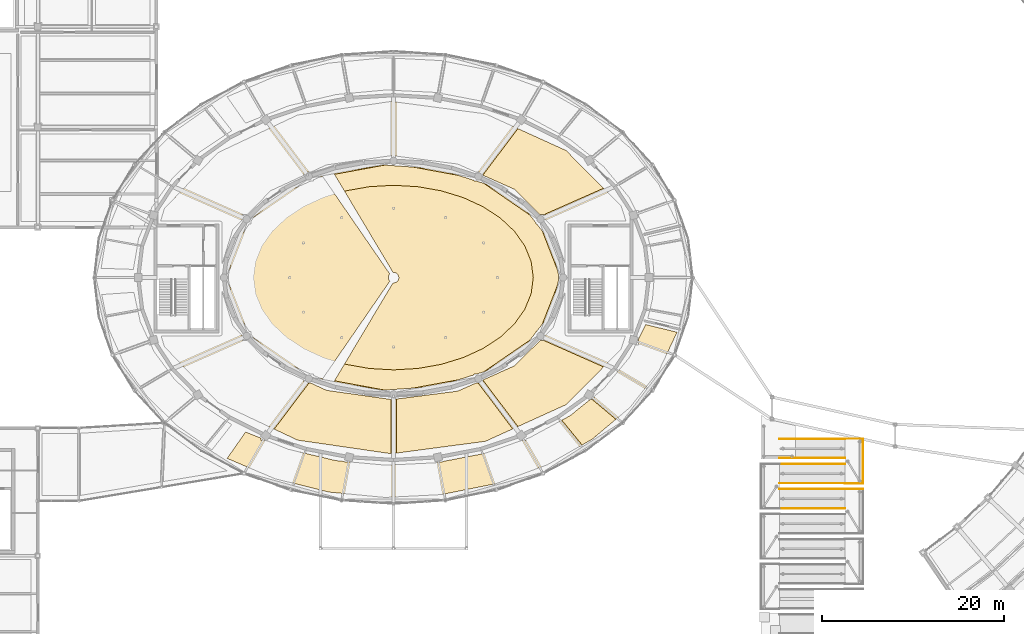
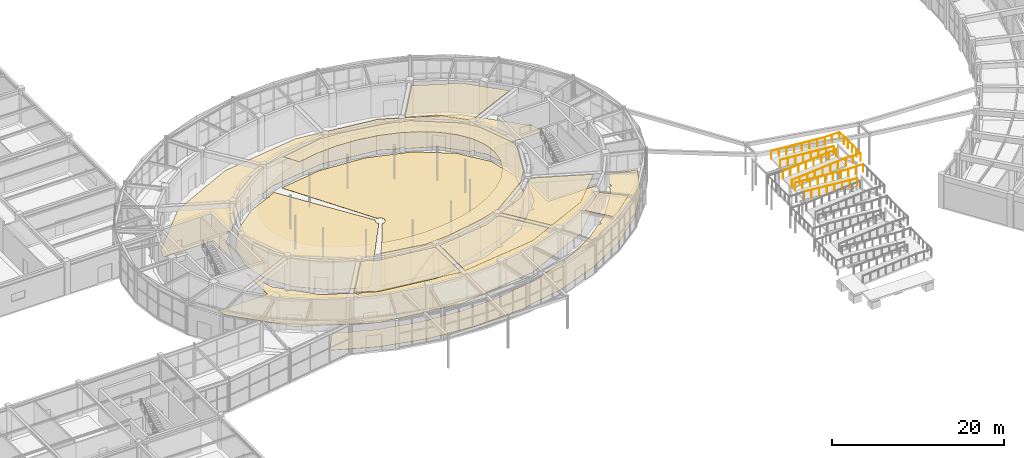
# One storey, part 102 of 108: 11 coverings, 10 railings.
"""IFC4 building model written with IfcOpenShell, lengths in metres."""

from ifc_helpers import new_model, si_unit, direction, frame, origin, origin_2d, place, context, subcontext, project, spatial, polyline, circle, outline, extrude, material, layer, layer_set, type_object, element, save


model = new_model("IFC4")

# Units and contexts
model_context = context("Model", 3, precision=1e-05, world=origin(), true_north=direction((0.0, 1.0)))
body_context = subcontext(model_context, "Body", "Model", "MODEL_VIEW")
ifc_project = project(units=[si_unit("LENGTHUNIT", "METRE"), si_unit("AREAUNIT", "SQUARE_METRE"), si_unit("VOLUMEUNIT", "CUBIC_METRE"), si_unit("PLANEANGLEUNIT", "RADIAN"), si_unit("MASSUNIT", "GRAM", prefix="KILO")], contexts=[model_context])

# Site, building, storey
site_placement = place(None, origin())
site = spatial("IfcSite", under=ifc_project, at=site_placement, CompositionType="ELEMENT")
building_placement = place(site_placement, origin())
building = spatial("IfcBuilding", under=site, at=building_placement, Name="Tarnveldt Headland Concert Hall", CompositionType="ELEMENT")
storey_placement = place(building_placement, origin())
storey = spatial("IfcBuildingStorey", under=building, at=storey_placement, Name="L00", CompositionType="ELEMENT", Elevation=0.0)

# Coverings
ifc_material_1 = material(Name="Micro-perforated mvule acoustic ceiling panel", Category="timber")
ifc_layer_1 = layer(ifc_material_1, 0.050048828125, Name="Micro-perforated mvule acoustic ceiling panel", Category="timber")
ifc_layer_set_1 = layer_set([ifc_layer_1], Name="Micro-perforated mvule acoustic ceiling panel")
covering_type_1 = type_object("IfcCoveringType", Name="CV-CEIL50", PredefinedType="CEILING", material=ifc_layer_set_1)
covering_1_placement = place(storey_placement, frame((0.0, 0.0, 4.469970703125)))
element("IfcCovering", 1, at=covering_1_placement, inside=storey, type_object=covering_type_1, Name="Acoustic mvule ceiling L00-10-5", PredefinedType="CEILING", context=body_context, shape_type="SweptSolid", body=[
    extrude(outline(polyline([(76.165283203125, 42.1376953125), (83.195068359375, 41.138427734375), (83.195068359375, 35.19189453125), (72.973388671875, 36.675048828125), (70.413818359375, 37.885009765625), (74.205078125, 42.914794921875), (74.46875, 42.914794921875), (76.114990234375, 42.152587890625), (76.13134765625, 42.14599609375), (76.148193359375, 42.140869140625), (76.165283203125, 42.1376953125)])), origin(), (0.0, 0.0, 1.0), 0.050048828125),
])
covering_2_placement = place(storey_placement, frame((0.0, 0.0, 4.469970703125)))
element("IfcCovering", 2, at=covering_2_placement, inside=storey, type_object=covering_type_1, Name="Acoustic mvule ceiling L00-10-6", PredefinedType="CEILING", context=body_context, shape_type="SweptSolid", body=[
    extrude(outline(polyline([(90.525146484375, 42.050537109375), (90.54248046875, 42.0537109375), (90.55908203125, 42.058349609375), (90.575439453125, 42.064697265625), (92.482421875, 42.914794921875), (92.794921875, 42.914794921875), (96.5703125, 37.906005859375), (93.58447265625, 36.54736328125), (83.804931640625, 35.25439453125), (83.804931640625, 41.179931640625), (83.95947265625, 41.199951171875), (84.0, 41.199951171875), (84.0, 41.205322265625), (90.525146484375, 42.050537109375)])), origin(), (0.0, 0.0, 1.0), 0.050048828125),
])
covering_3_placement = place(storey_placement, frame((0.0, 0.0, 4.469970703125)))
element("IfcCovering", 3, at=covering_3_placement, inside=storey, type_object=covering_type_1, Name="Acoustic mvule ceiling L00-10-7", PredefinedType="CEILING", context=body_context, shape_type="SweptSolid", body=[
    extrude(outline(polyline([(96.726318359375, 44.8076171875), (96.739990234375, 44.816162109375), (96.7529296875, 44.82568359375), (96.764892578125, 44.836669921875), (99.569580078125, 47.60009765625), (99.984619140625, 47.60009765625), (106.530029296875, 44.705322265625), (102.412109375, 40.564208984375), (97.13916015625, 38.164794921875), (93.300048828125, 43.25830078125), (93.300048828125, 43.279296875), (96.7119140625, 44.80029296875), (96.726318359375, 44.8076171875)])), origin(), (0.0, 0.0, 1.0), 0.050048828125),
])
covering_4_placement = place(storey_placement, frame((0.0, 0.0, 4.469970703125)))
element("IfcCovering", 4, at=covering_4_placement, inside=storey, type_object=covering_type_1, Name="Acoustic mvule ceiling L00-11-10", PredefinedType="CEILING", context=body_context, shape_type="SweptSolid", body=[
    extrude(outline(polyline([(96.7119140625, 64.19970703125), (93.300048828125, 65.720703125), (93.300048828125, 65.74169921875), (97.13916015625, 70.835205078125), (102.412109375, 68.435791015625), (106.530029296875, 64.294677734375), (99.984619140625, 61.39990234375), (99.569580078125, 61.39990234375), (96.764892578125, 64.163330078125), (96.7529296875, 64.17431640625), (96.739990234375, 64.183837890625), (96.726318359375, 64.1923828125), (96.7119140625, 64.19970703125)])), origin(), (0.0, 0.0, 1.0), 0.050048828125),
])
covering_5_placement = place(storey_placement, frame((0.0, 0.0, 4.469970703125)))
element("IfcCovering", 5, at=covering_5_placement, inside=storey, type_object=covering_type_1, Name="Acoustic mvule ceiling L00-12-20", PredefinedType="CEILING", context=body_context, shape_type="SweptSolid", body=[
    extrude(outline(polyline([(104.1728515625, 36.146484375), (101.95458984375, 38.86474609375), (102.845703125, 39.349609375), (102.859619140625, 39.35791015625), (102.87255859375, 39.367431640625), (105.04931640625, 41.119140625), (105.302490234375, 41.119140625), (107.8759765625, 38.960205078125), (105.30126953125, 36.789794921875), (104.1728515625, 36.146484375)])), origin(), (0.0, 0.0, 1.0), 0.050048828125),
])
ifc_layer_2 = layer(ifc_material_1, 0.06494140625, Name="Micro-perforated mvule acoustic ceiling panel", Category="timber")
ifc_layer_set_2 = layer_set([ifc_layer_2], Name="Micro-perforated mvule acoustic ceiling panel")
covering_type_2 = type_object("IfcCoveringType", Name="CV-CEIL65", PredefinedType="CEILING", material=ifc_layer_set_2)
covering_6_placement = place(storey_placement, frame((0.0, 0.0, 4.455078125)))
element("IfcCovering", 6, at=covering_6_placement, inside=storey, type_object=covering_type_2, Name="Acoustic mvule ceiling L00-09-2", PredefinedType="CEILING", context=body_context, shape_type="SweptSolid", body=[
    extrude(outline(polyline([(90.6201171875, 43.297607421875), (85.665283203125, 42.384033203125), (83.10546875, 42.199951171875), (83.0, 42.199951171875), (83.0, 42.1923828125), (82.54931640625, 42.159912109375), (77.023681640625, 43.178955078125), (78.12890625, 45.030517578125), (78.26611328125, 44.98828125), (78.280517578125, 44.98486328125), (80.839599609375, 44.53369140625), (80.853515625, 44.531982421875), (83.4931640625, 44.380126953125), (83.5068359375, 44.380126953125), (86.146484375, 44.531982421875), (86.160400390625, 44.53369140625), (88.719482421875, 44.98486328125), (88.73388671875, 44.98828125), (91.13525390625, 45.72509765625), (91.150146484375, 45.730712890625), (93.320556640625, 46.730712890625), (93.32861328125, 46.734619140625), (93.33642578125, 46.7392578125), (95.2099609375, 47.9716796875), (95.21826171875, 47.977783203125), (95.22607421875, 47.984619140625), (96.745849609375, 49.41259765625), (96.754150390625, 49.421142578125), (96.761474609375, 49.4306640625), (97.881103515625, 51.010498046875), (97.888427734375, 51.022216796875), (97.894287109375, 51.034423828125), (98.580078125, 52.71826171875), (98.583740234375, 52.727783203125), (98.586181640625, 52.73779296875), (98.588134765625, 52.747802734375), (98.819091796875, 54.484130859375), (98.81982421875, 54.49462890625), (98.81982421875, 54.50537109375), (98.819091796875, 54.515869140625), (98.588134765625, 56.252197265625), (98.586181640625, 56.26220703125), (98.583740234375, 56.272216796875), (98.580078125, 56.28173828125), (97.894287109375, 57.965576171875), (97.888427734375, 57.977783203125), (97.881103515625, 57.989501953125), (96.761474609375, 59.5693359375), (96.754150390625, 59.578857421875), (96.745849609375, 59.58740234375), (95.22607421875, 61.015380859375), (95.21826171875, 61.022216796875), (95.2099609375, 61.0283203125), (93.33642578125, 62.2607421875), (93.32861328125, 62.265380859375), (93.320556640625, 62.269287109375), (91.150146484375, 63.269287109375), (91.13525390625, 63.27490234375), (88.73388671875, 64.01171875), (88.719482421875, 64.01513671875), (86.160400390625, 64.46630859375), (86.146484375, 64.468017578125), (83.5068359375, 64.619873046875), (83.4931640625, 64.619873046875), (80.853515625, 64.468017578125), (80.839599609375, 64.46630859375), (78.280517578125, 64.01513671875), (78.26611328125, 64.01171875), (78.12890625, 63.969482421875), (77.023681640625, 65.821044921875), (82.54931640625, 66.840087890625), (83.0, 66.8076171875), (83.0, 66.800048828125), (83.10546875, 66.800048828125), (85.665283203125, 66.615966796875), (90.6201171875, 65.702392578125), (92.300048828125, 65.1748046875), (92.300048828125, 65.085205078125), (92.585205078125, 65.085205078125), (93.408203125, 64.82666015625), (98.447021484375, 61.359130859375), (99.108154296875, 60.5087890625), (99.108154296875, 60.39990234375), (99.192626953125, 60.39990234375), (99.81298828125, 59.60205078125), (101.44775390625, 55.4033203125), (101.60009765625, 54.77001953125), (101.60009765625, 54.22998046875), (101.44775390625, 53.5966796875), (99.81298828125, 49.39794921875), (99.192626953125, 48.60009765625), (99.108154296875, 48.60009765625), (99.108154296875, 48.4912109375), (98.447021484375, 47.640869140625), (93.408203125, 44.17333984375), (92.585205078125, 43.914794921875), (92.300048828125, 43.914794921875), (92.300048828125, 43.8251953125), (90.6201171875, 43.297607421875)])), origin(), (0.0, 0.0, 1.0), 0.06494140625),
])
ifc_material_2 = material(Name="Treated East African mvule hardwood", Category="wood")
ifc_layer_3 = layer(ifc_material_2, 0.028076171875, Name="Treated East African mvule hardwood", Category="wood")
ifc_layer_set_3 = layer_set([ifc_layer_3], Name="Treated East African mvule hardwood")
covering_type_3 = type_object("IfcCoveringType", Name="CV-FLOR28", PredefinedType="FLOORING", material=ifc_layer_set_3)
covering_7_placement = place(storey_placement, origin())
element("IfcCovering", 7, at=covering_7_placement, inside=storey, type_object=covering_type_3, Name="Architectural flooring L00-08-1", PredefinedType="FLOORING", context=body_context, shape_type="SweptSolid", body=[
    extrude(outline(polyline([(82.920166015625, 54.508544921875), (82.920166015625, 54.491455078125), (82.921875, 54.474609375), (82.937744140625, 54.362548828125), (82.94091796875, 54.345947265625), (82.94580078125, 54.32958984375), (82.951904296875, 54.31396484375), (82.99853515625, 54.2109375), (83.00634765625, 54.19580078125), (83.015625, 54.181396484375), (83.026123046875, 54.167724609375), (83.085693359375, 54.098388671875), (75.681640625, 43.351318359375), (74.699951171875, 43.789306640625), (74.699951171875, 43.914794921875), (74.41845703125, 43.914794921875), (71.495361328125, 45.219482421875), (68.158203125, 47.8798828125), (67.891845703125, 48.281982421875), (67.891845703125, 48.60009765625), (67.68115234375, 48.60009765625), (66.05224609375, 51.05859375), (65.39990234375, 54.183349609375), (65.39990234375, 54.816650390625), (66.05224609375, 57.94140625), (67.68115234375, 60.39990234375), (67.891845703125, 60.39990234375), (67.891845703125, 60.718017578125), (68.158203125, 61.1201171875), (71.495361328125, 63.780517578125), (74.41845703125, 65.085205078125), (74.699951171875, 65.085205078125), (74.699951171875, 65.210693359375), (75.681640625, 65.648681640625), (83.085693359375, 54.901611328125), (83.026123046875, 54.832275390625), (83.015625, 54.818603515625), (83.00634765625, 54.80419921875), (82.99853515625, 54.7890625), (82.951904296875, 54.68603515625), (82.94580078125, 54.67041015625), (82.94091796875, 54.654052734375), (82.937744140625, 54.637451171875), (82.921875, 54.525390625), (82.920166015625, 54.508544921875)])), origin(), (0.0, 0.0, 1.0), 0.028076171875),
])
covering_8_placement = place(storey_placement, origin())
element("IfcCovering", 8, at=covering_8_placement, inside=storey, type_object=covering_type_3, Name="Architectural flooring L00-09-2", PredefinedType="FLOORING", context=body_context, shape_type="SweptSolid", body=[
    extrude(outline(polyline([(99.192626953125, 48.60009765625), (99.108154296875, 48.60009765625), (99.108154296875, 48.4912109375), (97.96728515625, 47.023681640625), (93.68408203125, 44.260009765625), (92.585205078125, 43.914794921875), (92.300048828125, 43.914794921875), (92.300048828125, 43.8251953125), (88.318603515625, 42.57470703125), (83.10546875, 42.199951171875), (83.0, 42.199951171875), (83.0, 42.1923828125), (82.440185546875, 42.152099609375), (76.91748046875, 43.001220703125), (83.348876953125, 53.775390625), (83.4501953125, 53.9228515625), (83.45654296875, 53.921875), (83.47607421875, 53.920654296875), (83.495361328125, 53.921630859375), (83.62451171875, 53.935302734375), (83.643798828125, 53.938232421875), (83.662841796875, 53.943603515625), (83.680908203125, 53.95068359375), (83.798828125, 54.0048828125), (83.816162109375, 54.013916015625), (83.832275390625, 54.02490234375), (83.84716796875, 54.03759765625), (83.94140625, 54.12646484375), (83.955078125, 54.140625), (83.966796875, 54.156005859375), (83.976806640625, 54.1728515625), (84.037841796875, 54.287353515625), (84.046142578125, 54.30517578125), (84.052490234375, 54.32373046875), (84.056640625, 54.343017578125), (84.07763671875, 54.470947265625), (84.07958984375, 54.490234375), (84.07958984375, 54.509765625), (84.07763671875, 54.529052734375), (84.056640625, 54.656982421875), (84.052490234375, 54.67626953125), (84.046142578125, 54.69482421875), (84.037841796875, 54.712646484375), (83.976806640625, 54.8271484375), (83.966796875, 54.843994140625), (83.955078125, 54.859375), (83.94140625, 54.87353515625), (83.84716796875, 54.96240234375), (83.832275390625, 54.97509765625), (83.816162109375, 54.986083984375), (83.798828125, 54.9951171875), (83.680908203125, 55.04931640625), (83.662841796875, 55.056396484375), (83.643798828125, 55.061767578125), (83.62451171875, 55.064697265625), (83.495361328125, 55.078369140625), (83.47607421875, 55.079345703125), (83.45654296875, 55.078125), (83.4501953125, 55.0771484375), (83.348876953125, 55.224609375), (76.91748046875, 65.998779296875), (82.440185546875, 66.847900390625), (83.0, 66.8076171875), (83.0, 66.800048828125), (83.10546875, 66.800048828125), (88.318603515625, 66.42529296875), (92.300048828125, 65.1748046875), (92.300048828125, 65.085205078125), (92.585205078125, 65.085205078125), (93.68408203125, 64.739990234375), (97.96728515625, 61.976318359375), (99.108154296875, 60.5087890625), (99.108154296875, 60.39990234375), (99.192626953125, 60.39990234375), (100.71875, 58.43701171875), (101.60009765625, 54.77001953125), (101.60009765625, 54.22998046875), (100.71875, 50.56298828125), (99.192626953125, 48.60009765625)])), origin(), (0.0, 0.0, 1.0), 0.028076171875),
])
ifc_material_3 = material(Name="Polished coral-aggregate cementitious terrazzo flooring", Category="concrete")
ifc_layer_4 = layer(ifc_material_3, 0.034912109375, Name="Polished coral-aggregate cementitious terrazzo flooring", Category="concrete")
ifc_layer_set_4 = layer_set([ifc_layer_4], Name="Polished coral-aggregate cementitious terrazzo flooring")
covering_type_4 = type_object("IfcCoveringType", Name="CV-FLOR35", PredefinedType="FLOORING", material=ifc_layer_set_4)
covering_9_placement = place(storey_placement, origin())
element("IfcCovering", 9, at=covering_9_placement, inside=storey, type_object=covering_type_4, Name="Architectural flooring L00-10-3", PredefinedType="FLOORING", context=body_context, shape_type="SweptSolid", body=[
    extrude(outline(polyline([(65.89794921875, 49.190185546875), (66.891845703125, 48.17333984375), (66.891845703125, 47.60009765625), (67.45263671875, 47.60009765625), (69.9951171875, 44.999755859375), (70.0068359375, 44.988525390625), (70.019775390625, 44.978515625), (70.03369140625, 44.9697265625), (70.048095703125, 44.96240234375), (73.699951171875, 43.27099609375), (73.699951171875, 42.914794921875), (74.46875, 42.914794921875), (76.114990234375, 42.152587890625), (76.13134765625, 42.14599609375), (76.148193359375, 42.140869140625), (76.165283203125, 42.1376953125), (83.308837890625, 41.122314453125), (83.324951171875, 41.12060546875), (83.34130859375, 41.12060546875), (83.357421875, 41.1220703125), (83.95947265625, 41.199951171875), (84.0, 41.199951171875), (84.0, 41.205322265625), (90.525146484375, 42.050537109375), (90.54248046875, 42.0537109375), (90.55908203125, 42.058349609375), (90.575439453125, 42.064697265625), (92.482421875, 42.914794921875), (93.300048828125, 42.914794921875), (93.300048828125, 43.279296875), (96.7119140625, 44.80029296875), (96.726318359375, 44.8076171875), (96.739990234375, 44.816162109375), (96.7529296875, 44.82568359375), (96.764892578125, 44.836669921875), (99.569580078125, 47.60009765625), (100.108154296875, 47.60009765625), (100.108154296875, 48.130615234375), (100.966796875, 48.9765625), (100.978271484375, 48.989013671875), (100.988525390625, 49.00244140625), (100.99755859375, 49.016845703125), (101.005126953125, 49.031982421875), (101.01123046875, 49.0478515625), (102.320068359375, 52.966796875), (102.320068359375, 48.300048828125), (102.32080078125, 48.282470703125), (102.323486328125, 48.264892578125), (102.327880859375, 48.247802734375), (102.333740234375, 48.231201171875), (102.34130859375, 48.215087890625), (102.350341796875, 48.199951171875), (102.36083984375, 48.185791015625), (102.372802734375, 48.172607421875), (102.3857421875, 48.160888671875), (102.39990234375, 48.150390625), (102.4150390625, 48.141357421875), (102.43115234375, 48.1337890625), (102.44775390625, 48.127685546875), (102.46484375, 48.12353515625), (102.482421875, 48.120849609375), (102.5, 48.1201171875), (108.928955078125, 48.1201171875), (108.440185546875, 46.62646484375), (102.412109375, 40.564208984375), (93.58447265625, 36.54736328125), (83.260986328125, 35.182373046875), (72.973388671875, 36.675048828125), (64.24658203125, 40.7998046875), (58.369384765625, 46.934814453125), (58.01220703125, 48.1201171875), (64.5, 48.1201171875), (64.517578125, 48.120849609375), (64.53515625, 48.12353515625), (64.55224609375, 48.127685546875), (64.56884765625, 48.1337890625), (64.5849609375, 48.141357421875), (64.60009765625, 48.150390625), (64.6142578125, 48.160888671875), (64.627197265625, 48.172607421875), (64.63916015625, 48.185791015625), (64.649658203125, 48.199951171875), (64.65869140625, 48.215087890625), (64.666259765625, 48.231201171875), (64.672119140625, 48.247802734375), (64.676513671875, 48.264892578125), (64.67919921875, 48.282470703125), (64.679931640625, 48.300048828125), (64.679931640625, 53.08154296875), (65.8544921875, 49.262939453125), (65.8603515625, 49.246826171875), (65.86767578125, 49.2314453125), (65.87646484375, 49.216796875), (65.886474609375, 49.202880859375), (65.89794921875, 49.190185546875)])), origin(), (0.0, 0.0, 1.0), 0.034912109375),
])
covering_10_placement = place(storey_placement, origin())
element("IfcCovering", 10, at=covering_10_placement, inside=storey, type_object=covering_type_4, Name="Architectural flooring L00-11-4", PredefinedType="FLOORING", context=body_context, shape_type="SweptSolid", body=[
    extrude(outline(polyline([(108.994384765625, 60.679931640625), (102.5, 60.679931640625), (102.482421875, 60.67919921875), (102.46484375, 60.676513671875), (102.44775390625, 60.672119140625), (102.43115234375, 60.666259765625), (102.4150390625, 60.65869140625), (102.39990234375, 60.649658203125), (102.3857421875, 60.63916015625), (102.372802734375, 60.627197265625), (102.36083984375, 60.6142578125), (102.350341796875, 60.60009765625), (102.34130859375, 60.5849609375), (102.333740234375, 60.56884765625), (102.327880859375, 60.55224609375), (102.323486328125, 60.53515625), (102.32080078125, 60.517578125), (102.320068359375, 60.5), (102.320068359375, 56.033203125), (101.01123046875, 59.9521484375), (101.005126953125, 59.968017578125), (100.99755859375, 59.983154296875), (100.988525390625, 59.99755859375), (100.978271484375, 60.010986328125), (100.966796875, 60.0234375), (100.108154296875, 60.869384765625), (100.108154296875, 61.39990234375), (99.569580078125, 61.39990234375), (96.764892578125, 64.163330078125), (96.7529296875, 64.17431640625), (96.739990234375, 64.183837890625), (96.726318359375, 64.1923828125), (96.7119140625, 64.19970703125), (93.300048828125, 65.720703125), (93.300048828125, 66.085205078125), (92.482421875, 66.085205078125), (90.575439453125, 66.935302734375), (90.55908203125, 66.941650390625), (90.54248046875, 66.9462890625), (90.525146484375, 66.949462890625), (84.0, 67.794677734375), (84.0, 67.800048828125), (83.95947265625, 67.800048828125), (83.357421875, 67.8779296875), (83.34130859375, 67.87939453125), (83.324951171875, 67.87939453125), (83.308837890625, 67.877685546875), (76.165283203125, 66.8623046875), (76.148193359375, 66.859130859375), (76.13134765625, 66.85400390625), (76.114990234375, 66.847412109375), (74.46875, 66.085205078125), (73.699951171875, 66.085205078125), (73.699951171875, 65.72900390625), (70.048095703125, 64.03759765625), (70.03369140625, 64.0302734375), (70.019775390625, 64.021484375), (70.0068359375, 64.011474609375), (69.9951171875, 64.000244140625), (67.45263671875, 61.39990234375), (66.891845703125, 61.39990234375), (66.891845703125, 60.82666015625), (65.89794921875, 59.809814453125), (65.886474609375, 59.797119140625), (65.87646484375, 59.783203125), (65.86767578125, 59.7685546875), (65.8603515625, 59.753173828125), (65.8544921875, 59.737060546875), (64.679931640625, 55.91845703125), (64.679931640625, 60.5), (64.67919921875, 60.517578125), (64.676513671875, 60.53515625), (64.672119140625, 60.55224609375), (64.666259765625, 60.56884765625), (64.65869140625, 60.5849609375), (64.649658203125, 60.60009765625), (64.63916015625, 60.6142578125), (64.627197265625, 60.627197265625), (64.6142578125, 60.63916015625), (64.60009765625, 60.649658203125), (64.5849609375, 60.65869140625), (64.56884765625, 60.666259765625), (64.55224609375, 60.672119140625), (64.53515625, 60.676513671875), (64.517578125, 60.67919921875), (64.5, 60.679931640625), (57.951904296875, 60.679931640625), (58.369384765625, 62.065185546875), (64.24658203125, 68.2001953125), (72.973388671875, 72.324951171875), (83.260986328125, 73.817626953125), (93.58447265625, 72.45263671875), (102.412109375, 68.435791015625), (108.440185546875, 62.37353515625), (108.994384765625, 60.679931640625)])), origin(), (0.0, 0.0, 1.0), 0.034912109375),
])
covering_11_placement = place(storey_placement, origin())
element("IfcCovering", 11, at=covering_11_placement, inside=storey, type_object=covering_type_4, Name="Architectural flooring L00-12-5", PredefinedType="FLOORING", context=body_context, shape_type="SweptSolid", body=[
    extrude(outline(polyline([(71.952392578125, 35.674072265625), (77.166259765625, 34.431884765625), (77.191650390625, 34.427734375), (78.11279296875, 34.343505859375), (78.11279296875, 34.27880859375), (78.821533203125, 34.27880859375), (82.64111328125, 33.9296875), (82.666259765625, 33.92919921875), (88.147216796875, 34.194091796875), (88.17236328125, 34.197021484375), (88.59814453125, 34.27880859375), (88.88720703125, 34.27880859375), (88.88720703125, 34.334228515625), (93.479736328125, 35.215087890625), (93.492919921875, 35.218017578125), (93.505615234375, 35.22216796875), (97.585205078125, 36.654541015625), (98.02490234375, 36.654541015625), (98.02490234375, 36.80908203125), (98.44091796875, 36.955078125), (98.454345703125, 36.960205078125), (98.46728515625, 36.966796875), (102.845703125, 39.349609375), (102.859619140625, 39.35791015625), (102.87255859375, 39.367431640625), (105.04931640625, 41.119140625), (105.47412109375, 41.119140625), (105.47412109375, 41.461181640625), (106.530517578125, 42.311279296875), (106.544189453125, 42.323486328125), (106.556396484375, 42.337158203125), (109.35693359375, 45.731689453125), (109.369384765625, 45.74853515625), (109.379638671875, 45.7666015625), (110.055908203125, 47.134521484375), (110.33642578125, 47.134521484375), (110.33642578125, 47.7021484375), (111.153564453125, 49.35498046875), (114.584228515625, 48.499755859375), (112.595703125, 44.287353515625), (109.434814453125, 40.274169921875), (105.30126953125, 36.789794921875), (100.348388671875, 33.966796875), (94.7626953125, 31.91259765625), (88.7529296875, 30.705322265625), (82.5458984375, 30.39111328125), (76.37451171875, 30.981689453125), (70.47119140625, 32.454833984375), (65.248291015625, 34.67333984375), (67.275634765625, 37.568603515625), (68.97509765625, 36.87939453125), (68.97509765625, 36.654541015625), (69.529541015625, 36.654541015625), (71.92626953125, 35.682373046875), (71.939208984375, 35.677734375), (71.952392578125, 35.674072265625)])), origin(), (0.0, 0.0, 1.0), 0.034912109375),
])

# Railings
ifc_material_4 = material(Name="Marine stainless steel", Category="steel")
ifc_layer_5 = layer(ifc_material_4, 0.074951171875, Name="Marine stainless steel", Category="steel")
ifc_layer_set_5 = layer_set([ifc_layer_5], Name="Marine stainless steel")
railing_type = type_object("IfcRailingType", Name="RL-BAL110", PredefinedType="BALUSTRADE", material=ifc_layer_set_5)
railing_1_placement = place(storey_placement, frame((135.0, 31.330078125, 3.0)))
element("IfcRailing", 12, at=railing_1_placement, inside=storey, type_object=railing_type, Name="GUARD Forecourt ramp landing balustrade 5 3", PredefinedType="BALUSTRADE", context=body_context, shape_type="SweptSolid", body=[
    extrude(circle(Radius=0.02392578125, at=origin_2d()), frame((0.0, 0.0, 1.076171875), z_axis=(-1.0, 0.0, 0.0), x_axis=(0.0, -1.0, 0.0)), (0.0, 0.0, 1.0), 2.0),
    extrude(circle(Radius=0.02099609375, at=origin_2d()), origin(), (0.0, 0.0, 1.0), 1.052001953125),
    extrude(circle(Radius=0.02099609375, at=origin_2d()), frame((-1.0, 0.0, 0.0)), (0.0, 0.0, 1.0), 1.052001953125),
    extrude(circle(Radius=0.02099609375, at=origin_2d()), frame((-2.0, 0.0, 0.0)), (0.0, 0.0, 1.0), 1.052001953125),
])
for number, where, name in (
    (13, (133.0, 29.199951171875, 3.0), "GUARD Forecourt ramp guardrail 6S"),
    (14, (133.0, 31.300048828125, 3.0), "GUARD Forecourt ramp guardrail 6N"),
):
    element("IfcRailing", number, at=place(storey_placement, frame(where)), inside=storey, type_object=railing_type, Name=name, PredefinedType="BALUSTRADE", context=body_context, shape_type="SweptSolid", body=[
        extrude(circle(Radius=0.02392578125, at=origin_2d()), frame((0.0, 0.0, 1.076171875), z_axis=(-0.996544592923, 0.0, 0.083059462528), x_axis=(0.0, -1.0, 0.0)), (0.0, 0.0, 1.0), 7.224853515625),
        extrude(circle(Radius=0.02099609375, at=origin_2d()), origin(), (0.0, 0.0, 1.0), 1.052001953125),
        extrude(circle(Radius=0.02099609375, at=origin_2d()), frame((-1.028564453125, 0.0, 0.085693359375)), (0.0, 0.0, 1.0), 1.052001953125),
        extrude(circle(Radius=0.02099609375, at=origin_2d()), frame((-2.05712890625, 0.0, 0.17138671875)), (0.0, 0.0, 1.0), 1.052001953125),
        extrude(circle(Radius=0.02099609375, at=origin_2d()), frame((-3.085693359375, 0.0, 0.257080078125)), (0.0, 0.0, 1.0), 1.052001953125),
        extrude(circle(Radius=0.02099609375, at=origin_2d()), frame((-4.1142578125, 0.0, 0.343017578125)), (0.0, 0.0, 1.0), 1.052001953125),
        extrude(circle(Radius=0.02099609375, at=origin_2d()), frame((-5.142822265625, 0.0, 0.4287109375)), (0.0, 0.0, 1.0), 1.052001953125),
        extrude(circle(Radius=0.02099609375, at=origin_2d()), frame((-6.17138671875, 0.0, 0.514404296875)), (0.0, 0.0, 1.0), 1.052001953125),
        extrude(circle(Radius=0.02099609375, at=origin_2d()), frame((-7.199951171875, 0.0, 0.60009765625)), (0.0, 0.0, 1.0), 1.052001953125),
    ])
for number, where, name in (
    (15, (125.800048828125, 31.949951171875, 3.60009765625), "GUARD Forecourt ramp guardrail 7S"),
    (16, (125.800048828125, 34.050048828125, 3.60009765625), "GUARD Forecourt ramp guardrail 7N"),
):
    element("IfcRailing", number, at=place(storey_placement, frame(where)), inside=storey, type_object=railing_type, Name=name, PredefinedType="BALUSTRADE", context=body_context, shape_type="SweptSolid", body=[
        extrude(circle(Radius=0.02392578125, at=origin_2d()), frame((0.0, 0.0, 1.076171875), z_axis=(0.99654738937, 0.0, 0.083025904028), x_axis=(0.0, 1.0, 0.0)), (0.0, 0.0, 1.0), 7.224853515625),
        extrude(circle(Radius=0.02099609375, at=origin_2d()), origin(), (0.0, 0.0, 1.0), 1.052001953125),
        extrude(circle(Radius=0.02099609375, at=origin_2d()), frame((1.028564453125, 0.0, 0.085693359375)), (0.0, 0.0, 1.0), 1.052001953125),
        extrude(circle(Radius=0.02099609375, at=origin_2d()), frame((2.05712890625, 0.0, 0.17138671875)), (0.0, 0.0, 1.0), 1.052001953125),
        extrude(circle(Radius=0.02099609375, at=origin_2d()), frame((3.085693359375, 0.0, 0.257080078125)), (0.0, 0.0, 1.0), 1.052001953125),
        extrude(circle(Radius=0.02099609375, at=origin_2d()), frame((4.1142578125, 0.0, 0.3427734375)), (0.0, 0.0, 1.0), 1.052001953125),
        extrude(circle(Radius=0.02099609375, at=origin_2d()), frame((5.142822265625, 0.0, 0.428466796875)), (0.0, 0.0, 1.0), 1.052001953125),
        extrude(circle(Radius=0.02099609375, at=origin_2d()), frame((6.17138671875, 0.0, 0.51416015625)), (0.0, 0.0, 1.0), 1.052001953125),
        extrude(circle(Radius=0.02099609375, at=origin_2d()), frame((7.199951171875, 0.0, 0.599853515625)), (0.0, 0.0, 1.0), 1.052001953125),
    ])
railing_2_placement = place(storey_placement, frame((133.0, 31.919921875, 4.199951171875)))
element("IfcRailing", 17, at=railing_2_placement, inside=storey, type_object=railing_type, Name="GUARD Forecourt ramp landing balustrade 7 1", PredefinedType="BALUSTRADE", context=body_context, shape_type="SweptSolid", body=[
    extrude(circle(Radius=0.02392578125, at=origin_2d()), frame((0.0, 0.0, 1.076171875), z_axis=(1.0, 0.0, 0.0), x_axis=(0.0, 1.0, 0.0)), (0.0, 0.0, 1.0), 2.0),
    extrude(circle(Radius=0.02099609375, at=origin_2d()), origin(), (0.0, 0.0, 1.0), 1.052001953125),
    extrude(circle(Radius=0.02099609375, at=origin_2d()), frame((1.0, 0.0, 0.0)), (0.0, 0.0, 1.0), 1.052001953125),
    extrude(circle(Radius=0.02099609375, at=origin_2d()), frame((2.0, 0.0, 0.0)), (0.0, 0.0, 1.0), 1.052001953125),
])
railing_3_placement = place(storey_placement, frame((135.0, 31.919921875, 4.199951171875)))
element("IfcRailing", 18, at=railing_3_placement, inside=storey, type_object=railing_type, Name="GUARD Forecourt ramp landing balustrade 7 2", PredefinedType="BALUSTRADE", context=body_context, shape_type="SweptSolid", body=[
    extrude(circle(Radius=0.02392578125, at=origin_2d()), frame((0.0, 0.0, 1.076171875), z_axis=(0.0, 1.0, 0.0), x_axis=(-1.0, 0.0, 0.0)), (0.0, 0.0, 1.0), 4.91015625),
    extrude(circle(Radius=0.02099609375, at=origin_2d()), origin(), (0.0, 0.0, 1.0), 1.052001953125),
    extrude(circle(Radius=0.02099609375, at=origin_2d()), frame((0.0, 0.98193359375, 0.0)), (0.0, 0.0, 1.0), 1.052001953125),
    extrude(circle(Radius=0.02099609375, at=origin_2d()), frame((0.0, 1.964111328125, 0.0)), (0.0, 0.0, 1.0), 1.052001953125),
    extrude(circle(Radius=0.02099609375, at=origin_2d()), frame((0.0, 2.946044921875, 0.0)), (0.0, 0.0, 1.0), 1.052001953125),
    extrude(circle(Radius=0.02099609375, at=origin_2d()), frame((0.0, 3.92822265625, 0.0)), (0.0, 0.0, 1.0), 1.052001953125),
    extrude(circle(Radius=0.02099609375, at=origin_2d()), frame((0.0, 4.91015625, 0.0)), (0.0, 0.0, 1.0), 1.052001953125),
])
railing_4_placement = place(storey_placement, frame((135.0, 36.830078125, 4.199951171875)))
element("IfcRailing", 19, at=railing_4_placement, inside=storey, type_object=railing_type, Name="GUARD Forecourt ramp landing balustrade 7 3", PredefinedType="BALUSTRADE", context=body_context, shape_type="SweptSolid", body=[
    extrude(circle(Radius=0.02392578125, at=origin_2d()), frame((0.0, 0.0, 1.076171875), z_axis=(-1.0, 0.0, 0.0), x_axis=(0.0, -1.0, 0.0)), (0.0, 0.0, 1.0), 2.0),
    extrude(circle(Radius=0.02099609375, at=origin_2d()), origin(), (0.0, 0.0, 1.0), 1.052001953125),
    extrude(circle(Radius=0.02099609375, at=origin_2d()), frame((-1.0, 0.0, 0.0)), (0.0, 0.0, 1.0), 1.052001953125),
    extrude(circle(Radius=0.02099609375, at=origin_2d()), frame((-2.0, 0.0, 0.0)), (0.0, 0.0, 1.0), 1.052001953125),
])
for number, where, name in (
    (20, (133.0, 34.699951171875, 4.199951171875), "GUARD Forecourt ramp guardrail 8S"),
    (21, (133.0, 36.800048828125, 4.199951171875), "GUARD Forecourt ramp guardrail 8N"),
):
    element("IfcRailing", number, at=place(storey_placement, frame(where)), inside=storey, type_object=railing_type, Name=name, PredefinedType="BALUSTRADE", context=body_context, shape_type="SweptSolid", body=[
        extrude(circle(Radius=0.02392578125, at=origin_2d()), frame((0.0, 0.0, 1.076171875), z_axis=(-0.996544592923, 0.0, 0.083059462528), x_axis=(0.0, -1.0, 0.0)), (0.0, 0.0, 1.0), 7.224853515625),
        extrude(circle(Radius=0.02099609375, at=origin_2d()), origin(), (0.0, 0.0, 1.0), 1.052001953125),
        extrude(circle(Radius=0.02099609375, at=origin_2d()), frame((-1.028564453125, 0.0, 0.085693359375)), (0.0, 0.0, 1.0), 1.052001953125),
        extrude(circle(Radius=0.02099609375, at=origin_2d()), frame((-2.05712890625, 0.0, 0.17138671875)), (0.0, 0.0, 1.0), 1.052001953125),
        extrude(circle(Radius=0.02099609375, at=origin_2d()), frame((-3.085693359375, 0.0, 0.257080078125)), (0.0, 0.0, 1.0), 1.052001953125),
        extrude(circle(Radius=0.02099609375, at=origin_2d()), frame((-4.1142578125, 0.0, 0.343017578125)), (0.0, 0.0, 1.0), 1.052001953125),
        extrude(circle(Radius=0.02099609375, at=origin_2d()), frame((-5.142822265625, 0.0, 0.4287109375)), (0.0, 0.0, 1.0), 1.052001953125),
        extrude(circle(Radius=0.02099609375, at=origin_2d()), frame((-6.17138671875, 0.0, 0.514404296875)), (0.0, 0.0, 1.0), 1.052001953125),
        extrude(circle(Radius=0.02099609375, at=origin_2d()), frame((-7.199951171875, 0.0, 0.60009765625)), (0.0, 0.0, 1.0), 1.052001953125),
    ])

save(model, "model.ifc")
